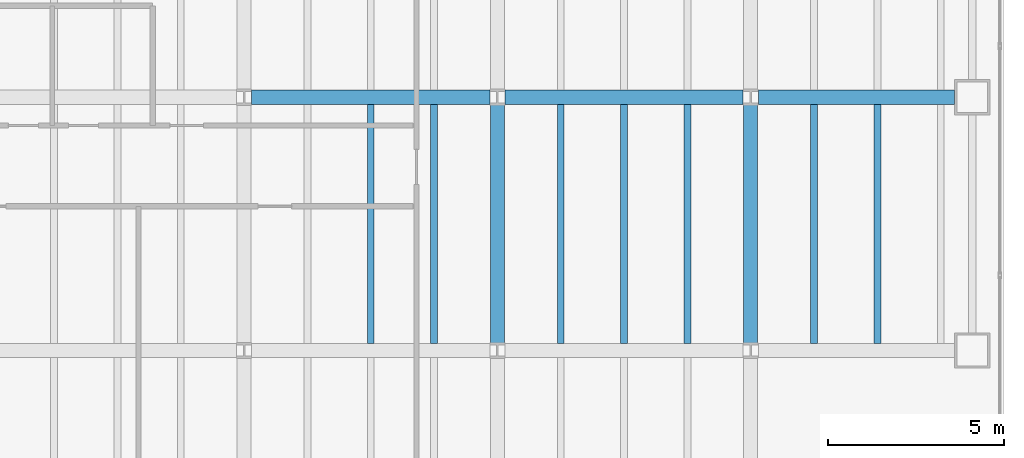
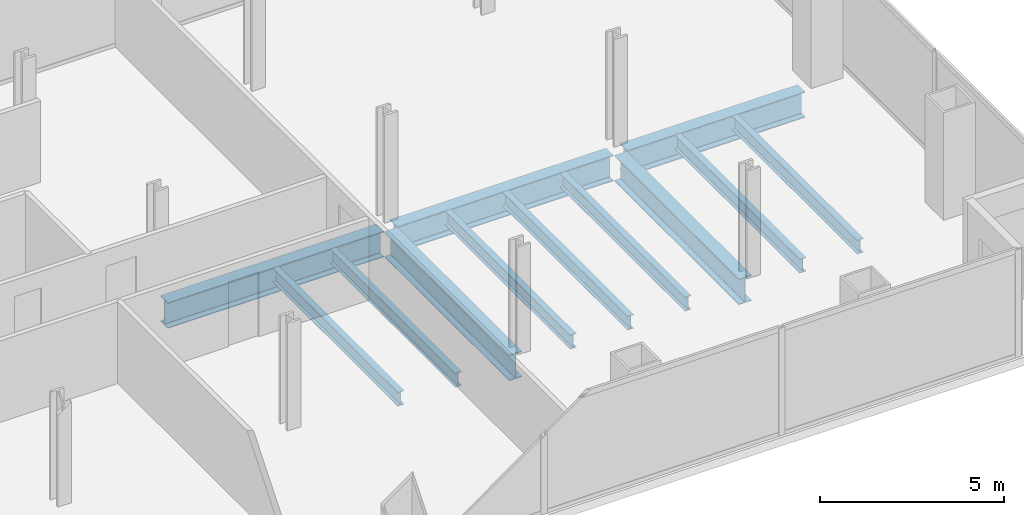
# One storey, part 9 of 23: 12 beams.
"""IFC4 building model written with IfcOpenShell, lengths in metres."""

from ifc_helpers import new_model, si_unit, direction, frame, origin, origin_2d, place, context, subcontext, project, spatial, i_section, extrude, material, material_profile, profile_set, type_object, element, save


model = new_model("IFC4")

# Units and contexts
model_context = context("Model", 3, precision=1e-05, world=origin(), true_north=direction((0.0, 1.0)))
body_context = subcontext(model_context, "Body", "Model", "MODEL_VIEW")
ifc_project = project(units=[si_unit("LENGTHUNIT", "METRE"), si_unit("AREAUNIT", "SQUARE_METRE"), si_unit("VOLUMEUNIT", "CUBIC_METRE"), si_unit("PLANEANGLEUNIT", "RADIAN"), si_unit("MASSUNIT", "GRAM", prefix="KILO")], contexts=[model_context])

# Site, building, storey
site_placement = place(None, origin())
site = spatial("IfcSite", under=ifc_project, at=site_placement, CompositionType="ELEMENT")
building_placement = place(site_placement, origin())
building = spatial("IfcBuilding", under=site, at=building_placement, Name="Cobrela Telecom Tower", CompositionType="ELEMENT")
storey_placement = place(building_placement, frame((0.0, 0.0, 65.800048828125)))
storey = spatial("IfcBuildingStorey", under=building, at=storey_placement, Name="L16", CompositionType="ELEMENT", Elevation=65.800048828125)

# Beams
ifc_material = material(Name="Steel ASTM A992 Grade 50", Category="steel")
ifc_material_profile_1 = material_profile(ifc_material, i_section(OverallWidth=0.39892578125, OverallDepth=0.85595703125, WebThickness=0.018310546875, FlangeThickness=0.029296875, FilletRadius=0.02001953125, at=origin_2d()), Name="W33X201")
ifc_profile_set_1 = profile_set([ifc_material_profile_1], Name="Steel ASTM A992 Grade 50")
beam_type_1 = type_object("IfcBeamType", Name="BM-GIRD-03", PredefinedType="USERDEFINED", material=ifc_profile_set_1)
for number, where, z_axis, x_axis, name in (
    (1, (29.01611328125, 14.39990234375, -0.7080078125), (1.0, 0.0, 0.0), (0.0, 1.0, 0.0), "L16 Primary Girder X15"),
    (2, (36.216064453125, 14.39990234375, -0.7080078125), (1.0, 0.0, 0.0), (0.0, 1.0, 0.0), "L16 Primary Girder X16"),
):
    element("IfcBeam", number, at=place(storey_placement, frame(where, z_axis=z_axis, x_axis=x_axis)), inside=storey, type_object=beam_type_1, Name=name, ObjectType="GIRDER", PredefinedType="USERDEFINED", context=body_context, shape_type="SweptSolid", body=[
        extrude(i_section(OverallWidth=0.39892578125, OverallDepth=0.85595703125, WebThickness=0.018310546875, FlangeThickness=0.029296875, FilletRadius=0.02001953125, at=origin_2d()), origin(), (0.0, 0.0, 1.0), 6.767822265625),
    ])
beam_placement = place(storey_placement, frame((43.416015625, 14.39990234375, -0.7080078125), z_axis=(1.0, 0.0, 0.0), x_axis=(0.0, 1.0, 0.0)))
element("IfcBeam", 3, at=beam_placement, inside=storey, type_object=beam_type_1, Name="L16 Primary Girder X17", ObjectType="GIRDER", PredefinedType="USERDEFINED", context=body_context, shape_type="SweptSolid", body=[
    extrude(i_section(OverallWidth=0.39892578125, OverallDepth=0.85595703125, WebThickness=0.018310546875, FlangeThickness=0.029296875, FilletRadius=0.02001953125, at=origin_2d()), origin(), (0.0, 0.0, 1.0), 5.5791015625),
])
for number, where, z_axis, x_axis, name in (
    (4, (36.0, 7.416015625, -0.7080078125), (0.0, 1.0, 0.0), (-1.0, 0.0, 0.0), "L16 Primary Girder Y51"),
    (5, (43.199951171875, 7.416015625, -0.7080078125), (0.0, 1.0, 0.0), (-1.0, 0.0, 0.0), "L16 Primary Girder Y54"),
):
    element("IfcBeam", number, at=place(storey_placement, frame(where, z_axis=z_axis, x_axis=x_axis)), inside=storey, type_object=beam_type_1, Name=name, ObjectType="GIRDER", PredefinedType="USERDEFINED", context=body_context, shape_type="SweptSolid", body=[
        extrude(i_section(OverallWidth=0.39892578125, OverallDepth=0.85595703125, WebThickness=0.018310546875, FlangeThickness=0.029296875, FilletRadius=0.02001953125, at=origin_2d()), origin(), (0.0, 0.0, 1.0), 6.76806640625),
    ])
ifc_material_profile_2 = material_profile(ifc_material, i_section(OverallWidth=0.193115234375, OverallDepth=0.467041015625, WebThickness=0.011474609375, FlangeThickness=0.01904296875, FilletRadius=0.012939453125, at=origin_2d()), Name="W18X65")
ifc_profile_set_2 = profile_set([ifc_material_profile_2], Name="Steel ASTM A992 Grade 50")
beam_type_2 = type_object("IfcBeamType", Name="BM-JOIST-03", PredefinedType="JOIST", material=ifc_profile_set_2)
for number, where, z_axis, x_axis, name in (
    (6, (32.39990234375, 7.404541015625, -0.513427734375), (0.0, 1.0, 0.0), (-1.0, 0.0, 0.0), "L16 Secondary Composite Floor Beam J45"),
    (7, (34.199951171875, 7.404541015625, -0.513427734375), (0.0, 1.0, 0.0), (-1.0, 0.0, 0.0), "L16 Secondary Composite Floor Beam J48"),
    (8, (37.800048828125, 7.404541015625, -0.513427734375), (0.0, 1.0, 0.0), (-1.0, 0.0, 0.0), "L16 Secondary Composite Floor Beam J51"),
    (9, (39.60009765625, 7.404541015625, -0.513427734375), (0.0, 1.0, 0.0), (-1.0, 0.0, 0.0), "L16 Secondary Composite Floor Beam J54"),
    (10, (41.39990234375, 7.404541015625, -0.513427734375), (0.0, 1.0, 0.0), (-1.0, 0.0, 0.0), "L16 Secondary Composite Floor Beam J57"),
    (11, (45.0, 7.404541015625, -0.513427734375), (0.0, 1.0, 0.0), (-1.0, 0.0, 0.0), "L16 Secondary Composite Floor Beam J59"),
    (12, (46.800048828125, 7.404541015625, -0.513427734375), (0.0, 1.0, 0.0), (-1.0, 0.0, 0.0), "L16 Secondary Composite Floor Beam J61"),
):
    element("IfcBeam", number, at=place(storey_placement, frame(where, z_axis=z_axis, x_axis=x_axis)), inside=storey, type_object=beam_type_2, Name=name, PredefinedType="JOIST", context=body_context, shape_type="SweptSolid", body=[
        extrude(i_section(OverallWidth=0.193115234375, OverallDepth=0.467041015625, WebThickness=0.011474609375, FlangeThickness=0.01904296875, FilletRadius=0.012939453125, at=origin_2d()), origin(), (0.0, 0.0, 1.0), 6.791015625),
    ])

save(model, "model.ifc")
